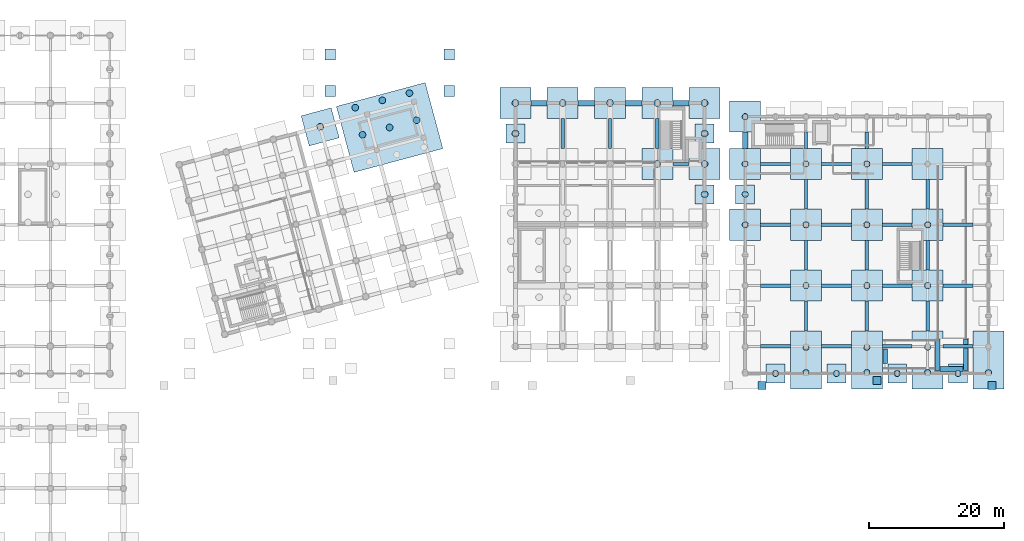
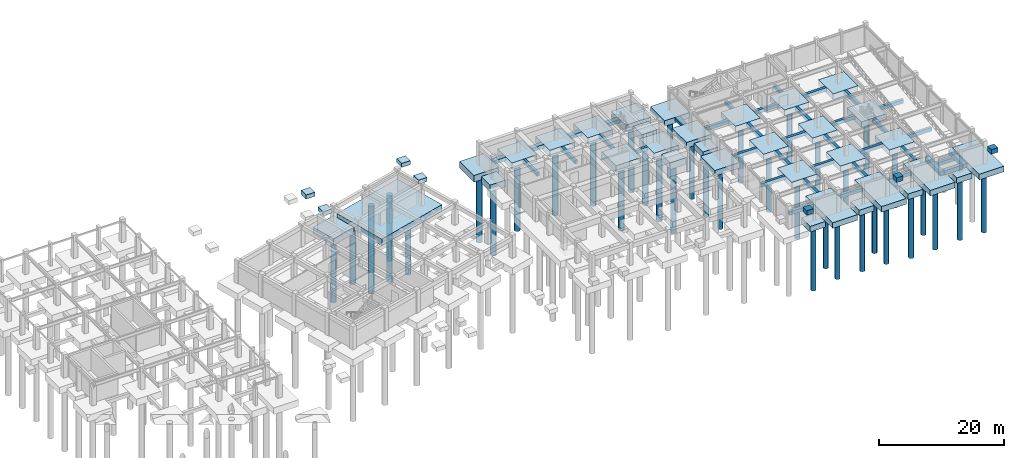
# One storey, part 5 of 20: 79 footings, 40 piles.
"""IFC4 building model written with IfcOpenShell, lengths in metres."""

from ifc_helpers import new_model, si_unit, direction, frame, origin, origin_2d, place, context, subcontext, project, spatial, rectangle, circle, extrude, material, material_profile, profile_set, type_object, element, save


model = new_model("IFC4")

# Units and contexts
model_context = context("Model", 3, precision=1e-05, world=origin(), true_north=direction((0.0, 1.0)))
body_context = subcontext(model_context, "Body", "Model", "MODEL_VIEW")
ifc_project = project(units=[si_unit("LENGTHUNIT", "METRE"), si_unit("AREAUNIT", "SQUARE_METRE"), si_unit("VOLUMEUNIT", "CUBIC_METRE"), si_unit("PLANEANGLEUNIT", "RADIAN"), si_unit("MASSUNIT", "GRAM", prefix="KILO")], contexts=[model_context])

# Site, building, storey
site_placement = place(None, origin())
site = spatial("IfcSite", under=ifc_project, at=site_placement, CompositionType="ELEMENT")
building_placement = place(site_placement, origin())
building = spatial("IfcBuilding", under=site, at=building_placement, Name="Ventoquebrada Cableway Terminal", CompositionType="ELEMENT")
storey_placement = place(building_placement, frame((0.0, 0.0, -4.5)))
storey = spatial("IfcBuildingStorey", under=building, at=storey_placement, Name="B1", CompositionType="ELEMENT", Elevation=-4.5)

# Footings
ifc_material = material(Name="Concrete C40/50", Category="concrete")
footing_type_1 = type_object("IfcFootingType", Name="FT-CN01", PredefinedType="PAD_FOOTING", material=ifc_material)
for number, where, z_axis, x_axis, name in (
    (1, (67.60009765625, 105.800048828125, -0.7998046875), (0.0, 0.0, 1.0), (1.0, 0.0, 0.0), "Canopy post pad footing FC-018"),
    (2, (85.199951171875, 105.800048828125, -0.7998046875), (0.0, 0.0, 1.0), (1.0, 0.0, 0.0), "Canopy post pad footing FC-019"),
    (3, (85.199951171875, 111.199951171875, -0.7998046875), (0.0, 0.0, 1.0), (1.0, 0.0, 0.0), "Canopy post pad footing FC-020"),
    (4, (67.60009765625, 111.199951171875, -0.7998046875), (0.0, 0.0, 1.0), (1.0, 0.0, 0.0), "Canopy post pad footing FC-021"),
):
    element("IfcFooting", number, at=place(storey_placement, frame(where, z_axis=z_axis, x_axis=x_axis)), inside=storey, type_object=footing_type_1, Name=name, PredefinedType="PAD_FOOTING", context=body_context, shape_type="SweptSolid", body=[
        extrude(rectangle(XDim=1.60009765625, YDim=1.60009765625, at=origin_2d()), origin(), (0.0, 0.0, 1.0), 0.800048828125),
    ])
for number, where, z_axis, x_axis, name in (
    (5, (157.449951171875, 66.75, 0.0), (0.0, 0.0, 1.0), (1.0, 0.0, 0.0), "Vehicle ramp landing wall footing RPAD-01"),
    (6, (161.64990234375, 66.75, 0.0), (0.0, 0.0, 1.0), (1.0, 0.0, 0.0), "Vehicle ramp landing wall footing RPAD-02"),
):
    element("IfcFooting", number, at=place(storey_placement, frame(where, z_axis=z_axis, x_axis=x_axis)), inside=storey, type_object=footing_type_1, Name=name, PredefinedType="PAD_FOOTING", context=body_context, shape_type="SweptSolid", body=[
        extrude(rectangle(XDim=0.699951171875, YDim=4.699951171875, at=origin_2d()), origin(), (0.0, 0.0, 1.0), 0.77001953125),
    ])
footing_1_placement = place(storey_placement, frame((159.550048828125, 64.64990234375, 0.0), z_axis=(0.0, 0.0, 1.0), x_axis=(1.0, 0.0, 0.0)))
element("IfcFooting", 7, at=footing_1_placement, inside=storey, type_object=footing_type_1, Name="Vehicle ramp landing wall footing RPAD-03", PredefinedType="PAD_FOOTING", context=body_context, shape_type="SweptSolid", body=[
    extrude(rectangle(XDim=3.39990234375, YDim=0.699951171875, at=origin_2d()), origin(), (0.0, 0.0, 1.0), 0.77001953125),
])
footing_2_placement = place(storey_placement, frame((149.699951171875, 66.574951171875, -0.77001953125), z_axis=(0.0, 0.0, 1.0), x_axis=(1.0, 0.0, 0.0)))
element("IfcFooting", 8, at=footing_2_placement, inside=storey, type_object=footing_type_1, Name="Vehicle ramp lower toe footing RPAD-04", PredefinedType="PAD_FOOTING", context=body_context, shape_type="SweptSolid", body=[
    extrude(rectangle(XDim=0.64990234375, YDim=2.14990234375, at=origin_2d()), origin(), (0.0, 0.0, 1.0), 0.77001953125),
])
footing_type_2 = type_object("IfcFootingType", Name="FT-PC01", PredefinedType="PILE_CAP", material=ifc_material)
for number, where, z_axis, x_axis, name in (
    (9, (138.0, 77.0, -1.10009765625), (0.0, 0.0, 1.0), (1.0, 0.0, 0.0), "Reinforced concrete pile cap PC-149"),
    (10, (129.0, 86.0, -1.10009765625), (0.0, 0.0, 1.0), (1.0, 0.0, 0.0), "Reinforced concrete pile cap PC-151"),
    (11, (129.0, 95.0, -1.10009765625), (0.0, 0.0, 1.0), (1.0, 0.0, 0.0), "Reinforced concrete pile cap PC-153"),
    (12, (129.0, 102.0, -1.10009765625), (0.0, 0.0, 1.0), (1.0, 0.0, 0.0), "Reinforced concrete pile cap PC-154"),
    (13, (147.0, 77.0, -1.10009765625), (0.0, 0.0, 1.0), (1.0, 0.0, 0.0), "Reinforced concrete pile cap PC-160"),
    (14, (138.0, 86.0, -1.10009765625), (0.0, 0.0, 1.0), (1.0, 0.0, 0.0), "Reinforced concrete pile cap PC-161"),
    (15, (147.0, 86.0, -1.10009765625), (0.0, 0.0, 1.0), (1.0, 0.0, 0.0), "Reinforced concrete pile cap PC-162"),
    (16, (156.0, 86.0, -1.10009765625), (0.0, 0.0, 1.0), (1.0, 0.0, 0.0), "Reinforced concrete pile cap PC-163"),
    (17, (138.0, 95.0, -1.10009765625), (0.0, 0.0, 1.0), (1.0, 0.0, 0.0), "Reinforced concrete pile cap PC-164"),
    (18, (147.0, 95.0, -1.10009765625), (0.0, 0.0, 1.0), (1.0, 0.0, 0.0), "Reinforced concrete pile cap PC-165"),
    (19, (156.0, 95.0, -1.10009765625), (0.0, 0.0, 1.0), (1.0, 0.0, 0.0), "Reinforced concrete pile cap PC-166"),
    (20, (156.0, 77.0, -1.10009765625), (0.0, 0.0, 1.0), (1.0, 0.0, 0.0), "Reinforced concrete pile cap PC-175"),
):
    element("IfcFooting", number, at=place(storey_placement, frame(where, z_axis=z_axis, x_axis=x_axis)), inside=storey, type_object=footing_type_2, Name=name, PredefinedType="PILE_CAP", context=body_context, shape_type="SweptSolid", body=[
        extrude(rectangle(XDim=4.60009765625, YDim=4.60009765625, at=origin_2d()), origin(), (0.0, 0.0, 1.0), 1.10009765625),
    ])
footing_type_3 = type_object("IfcFootingType", Name="FT-PC02", PredefinedType="PILE_CAP", material=ifc_material)
for number, where, z_axis, x_axis, name in (
    (21, (133.5, 64.0, -1.10009765625), (0.0, 0.0, 1.0), (1.0, 0.0, 0.0), "Reinforced concrete pile cap PC-145"),
    (22, (129.0, 90.5, -1.10009765625), (0.0, 0.0, 1.0), (1.0, 0.0, 0.0), "Reinforced concrete pile cap PC-152"),
    (23, (142.5, 64.0, -1.10009765625), (0.0, 0.0, 1.0), (1.0, 0.0, 0.0), "Reinforced concrete pile cap PC-157"),
    (24, (151.5, 64.0, -1.10009765625), (0.0, 0.0, 1.0), (1.0, 0.0, 0.0), "Reinforced concrete pile cap PC-159"),
    (25, (160.5, 64.0, -1.10009765625), (0.0, 0.0, 1.0), (1.0, 0.0, 0.0), "Reinforced concrete pile cap PC-172"),
):
    element("IfcFooting", number, at=place(storey_placement, frame(where, z_axis=z_axis, x_axis=x_axis)), inside=storey, type_object=footing_type_3, Name=name, PredefinedType="PILE_CAP", context=body_context, shape_type="SweptSolid", body=[
        extrude(rectangle(XDim=2.800048828125, YDim=2.800048828125, at=origin_2d()), origin(), (0.0, 0.0, 1.0), 1.10009765625),
    ])
footing_type_4 = type_object("IfcFootingType", Name="FT-PC05", PredefinedType="PILE_CAP", material=ifc_material)
for number, where, z_axis, x_axis, name in (
    (26, (95.0, 99.5, -1.2998046875), (0.0, 0.0, 1.0), (1.0, 0.0, 0.0), "Reinforced concrete pile cap PC-124"),
    (27, (123.0, 90.5, -1.2998046875), (0.0, 0.0, 1.0), (1.0, 0.0, 0.0), "Reinforced concrete pile cap PC-136"),
    (28, (123.0, 99.5, -1.2998046875), (0.0, 0.0, 1.0), (1.0, 0.0, 0.0), "Reinforced concrete pile cap PC-140"),
):
    element("IfcFooting", number, at=place(storey_placement, frame(where, z_axis=z_axis, x_axis=x_axis)), inside=storey, type_object=footing_type_4, Name=name, PredefinedType="PILE_CAP", context=body_context, shape_type="SweptSolid", body=[
        extrude(rectangle(XDim=2.800048828125, YDim=2.800048828125, at=origin_2d()), origin(), (0.0, 0.0, 1.0), 1.300048828125),
    ])
footing_type_5 = type_object("IfcFootingType", Name="FT-PC06", PredefinedType="PILE_CAP", material=ifc_material)
for number, where, z_axis, x_axis, name in (
    (29, (66.113037109375, 100.489013671875, -1.2998046875), (0.0, 0.0, 1.0), (0.965925826289, 0.258819045103, 0.0), "Reinforced concrete pile cap PC-114"),
    (30, (95.0, 104.0, -1.2998046875), (0.0, 0.0, 1.0), (1.0, 0.0, 0.0), "Reinforced concrete pile cap PC-125"),
    (31, (102.0, 104.0, -1.2998046875), (0.0, 0.0, 1.0), (1.0, 0.0, 0.0), "Reinforced concrete pile cap PC-126"),
    (32, (123.0, 95.0, -1.2998046875), (0.0, 0.0, 1.0), (1.0, 0.0, 0.0), "Reinforced concrete pile cap PC-138"),
    (33, (116.0, 95.0, -1.2998046875), (0.0, 0.0, 1.0), (1.0, 0.0, 0.0), "Reinforced concrete pile cap PC-139"),
    (34, (123.0, 104.0, -1.2998046875), (0.0, 0.0, 1.0), (1.0, 0.0, 0.0), "Reinforced concrete pile cap PC-141"),
    (35, (116.0, 104.0, -1.2998046875), (0.0, 0.0, 1.0), (1.0, 0.0, 0.0), "Reinforced concrete pile cap PC-142"),
    (36, (109.0, 104.0, -1.2998046875), (0.0, 0.0, 1.0), (1.0, 0.0, 0.0), "Reinforced concrete pile cap PC-143"),
):
    element("IfcFooting", number, at=place(storey_placement, frame(where, z_axis=z_axis, x_axis=x_axis)), inside=storey, type_object=footing_type_5, Name=name, PredefinedType="PILE_CAP", context=body_context, shape_type="SweptSolid", body=[
        extrude(rectangle(XDim=4.60009765625, YDim=4.60009765625, at=origin_2d()), origin(), (0.0, 0.0, 1.0), 1.300048828125),
    ])
footing_type_6 = type_object("IfcFootingType", Name="FT-PC08", PredefinedType="PILE_CAP", material=ifc_material)
footing_3_placement = place(storey_placement, frame((76.386962890625, 100.39501953125, -1.2998046875), z_axis=(0.0, 0.0, 1.0), x_axis=(0.965925826289, 0.258819045103, 0.0)))
element("IfcFooting", 37, at=footing_3_placement, inside=storey, type_object=footing_type_6, Name="Reinforced concrete pile cap PC-112", PredefinedType="PILE_CAP", context=body_context, shape_type="SweptSolid", body=[
    extrude(rectangle(XDim=13.60107421875, YDim=10.10107421875, at=origin_2d()), origin(), (0.0, 0.0, 1.0), 1.300048828125),
])
footing_type_7 = type_object("IfcFootingType", Name="FT-PC10", PredefinedType="PILE_CAP", material=ifc_material)
for number, where, z_axis, x_axis, name in (
    (38, (138.0, 66.0, -1.10009765625), (0.0, 0.0, 1.0), (1.0, 0.0, 0.0), "Reinforced concrete pile cap PC-146"),
    (39, (147.0, 66.0, -1.10009765625), (0.0, 0.0, 1.0), (1.0, 0.0, 0.0), "Reinforced concrete pile cap PC-158"),
    (40, (156.0, 66.0, -1.10009765625), (0.0, 0.0, 1.0), (1.0, 0.0, 0.0), "Reinforced concrete pile cap PC-171"),
    (41, (165.0, 66.0, -1.10009765625), (0.0, 0.0, 1.0), (1.0, 0.0, 0.0), "Reinforced concrete pile cap PC-173"),
):
    element("IfcFooting", number, at=place(storey_placement, frame(where, z_axis=z_axis, x_axis=x_axis)), inside=storey, type_object=footing_type_7, Name=name, PredefinedType="PILE_CAP", context=body_context, shape_type="SweptSolid", body=[
        extrude(rectangle(XDim=4.60009765625, YDim=8.60009765625, at=origin_2d()), origin(), (0.0, 0.0, 1.0), 1.10009765625),
    ])
footing_type_8 = type_object("IfcFootingType", Name="FT-PD01", PredefinedType="PAD_FOOTING", material=ifc_material)
for number, where, z_axis, x_axis, name in (
    (42, (131.5, 62.199951171875, 3.179931640625), (0.0, 0.0, 1.0), (1.0, 0.0, 0.0), "Plaza court grade pad footing PPD-10"),
    (43, (148.5, 62.949951171875, 3.179931640625), (0.0, 0.0, 1.0), (1.0, 0.0, 0.0), "Plaza court grade pad footing PPD-11"),
    (44, (165.5, 62.199951171875, 3.179931640625), (0.0, 0.0, 1.0), (1.0, 0.0, 0.0), "Plaza court grade pad footing PPD-12"),
):
    element("IfcFooting", number, at=place(storey_placement, frame(where, z_axis=z_axis, x_axis=x_axis)), inside=storey, type_object=footing_type_8, Name=name, PredefinedType="PAD_FOOTING", context=body_context, shape_type="SweptSolid", body=[
        extrude(rectangle(XDim=1.199951171875, YDim=1.199951171875, at=origin_2d()), origin(), (0.0, 0.0, 1.0), 0.89990234375),
    ])
footing_type_9 = type_object("IfcFootingType", Name="FT-SF09", PredefinedType="STRIP_FOOTING", material=ifc_material)
for number, where, z_axis, x_axis, name in (
    (45, (98.5, 104.0, -0.64990234375), (0.0, 0.0, 1.0), (1.0, 0.0, 0.0), "Reinforced concrete strip footing SF-088"),
    (46, (105.5, 104.0, -0.64990234375), (0.0, 0.0, 1.0), (1.0, 0.0, 0.0), "Reinforced concrete strip footing SF-089"),
    (47, (112.5, 104.0, -0.64990234375), (0.0, 0.0, 1.0), (1.0, 0.0, 0.0), "Reinforced concrete strip footing SF-090"),
    (48, (119.5, 104.0, -0.64990234375), (0.0, 0.0, 1.0), (1.0, 0.0, 0.0), "Reinforced concrete strip footing SF-091"),
    (49, (129.0, 98.5, -0.64990234375), (0.0, 0.0, 1.0), (0.0, 1.0, 0.0), "Reinforced concrete strip footing SF-092"),
):
    element("IfcFooting", number, at=place(storey_placement, frame(where, z_axis=z_axis, x_axis=x_axis)), inside=storey, type_object=footing_type_9, Name=name, PredefinedType="STRIP_FOOTING", context=body_context, shape_type="SweptSolid", body=[
        extrude(rectangle(XDim=2.404052734375, YDim=0.85009765625, at=origin_2d()), origin(), (0.0, 0.0, 1.0), 0.64990234375),
    ])
footing_type_10 = type_object("IfcFootingType", Name="FT-TB03", PredefinedType="FOOTING_BEAM", material=ifc_material)
for number, where, z_axis, x_axis, name in (
    (50, (102.0, 99.5, -0.7001953125), (0.0, 0.0, 1.0), (0.0, 1.0, 0.0), "Reinforced concrete seismic tie beam TB-065"),
    (51, (109.0, 99.5, -0.7001953125), (0.0, 0.0, 1.0), (0.0, 1.0, 0.0), "Reinforced concrete seismic tie beam TB-069"),
    (52, (116.0, 99.5, -0.7001953125), (0.0, 0.0, 1.0), (0.0, 1.0, 0.0), "Reinforced concrete seismic tie beam TB-073"),
    (53, (138.0, 72.5, -0.7001953125), (0.0, 0.0, 1.0), (0.0, 1.0, 0.0), "Reinforced concrete seismic tie beam TB-093"),
    (54, (138.0, 81.5, -0.7001953125), (0.0, 0.0, 1.0), (0.0, 1.0, 0.0), "Reinforced concrete seismic tie beam TB-094"),
    (55, (138.0, 90.5, -0.7001953125), (0.0, 0.0, 1.0), (0.0, 1.0, 0.0), "Reinforced concrete seismic tie beam TB-095"),
    (56, (147.0, 72.5, -0.7001953125), (0.0, 0.0, 1.0), (0.0, 1.0, 0.0), "Reinforced concrete seismic tie beam TB-097"),
    (57, (147.0, 81.5, -0.7001953125), (0.0, 0.0, 1.0), (0.0, 1.0, 0.0), "Reinforced concrete seismic tie beam TB-098"),
    (58, (147.0, 90.5, -0.7001953125), (0.0, 0.0, 1.0), (0.0, 1.0, 0.0), "Reinforced concrete seismic tie beam TB-099"),
    (59, (156.0, 72.5, -0.7001953125), (0.0, 0.0, 1.0), (0.0, 1.0, 0.0), "Reinforced concrete seismic tie beam TB-101"),
    (60, (156.0, 81.5, -0.7001953125), (0.0, 0.0, 1.0), (0.0, 1.0, 0.0), "Reinforced concrete seismic tie beam TB-102"),
    (61, (156.0, 90.5, -0.7001953125), (0.0, 0.0, 1.0), (0.0, 1.0, 0.0), "Reinforced concrete seismic tie beam TB-103"),
    (62, (133.5, 68.0, -0.7001953125), (0.0, 0.0, 1.0), (1.0, 0.0, 0.0), "Reinforced concrete seismic tie beam TB-106"),
    (63, (142.5, 68.0, -0.7001953125), (0.0, 0.0, 1.0), (1.0, 0.0, 0.0), "Reinforced concrete seismic tie beam TB-107"),
    (64, (151.5, 68.0, -0.7001953125), (0.0, 0.0, 1.0), (1.0, 0.0, 0.0), "Reinforced concrete seismic tie beam TB-108"),
    (65, (160.5, 68.0, -0.7001953125), (0.0, 0.0, 1.0), (1.0, 0.0, 0.0), "Reinforced concrete seismic tie beam TB-109"),
    (66, (133.5, 77.0, -0.7001953125), (0.0, 0.0, 1.0), (1.0, 0.0, 0.0), "Reinforced concrete seismic tie beam TB-110"),
    (67, (142.5, 77.0, -0.7001953125), (0.0, 0.0, 1.0), (1.0, 0.0, 0.0), "Reinforced concrete seismic tie beam TB-111"),
    (68, (151.5, 77.0, -0.7001953125), (0.0, 0.0, 1.0), (1.0, 0.0, 0.0), "Reinforced concrete seismic tie beam TB-112"),
    (69, (160.5, 77.0, -0.7001953125), (0.0, 0.0, 1.0), (1.0, 0.0, 0.0), "Reinforced concrete seismic tie beam TB-113"),
    (70, (133.5, 86.0, -0.7001953125), (0.0, 0.0, 1.0), (1.0, 0.0, 0.0), "Reinforced concrete seismic tie beam TB-114"),
    (71, (142.5, 86.0, -0.7001953125), (0.0, 0.0, 1.0), (1.0, 0.0, 0.0), "Reinforced concrete seismic tie beam TB-115"),
    (72, (151.5, 86.0, -0.7001953125), (0.0, 0.0, 1.0), (1.0, 0.0, 0.0), "Reinforced concrete seismic tie beam TB-116"),
    (73, (160.5, 86.0, -0.7001953125), (0.0, 0.0, 1.0), (1.0, 0.0, 0.0), "Reinforced concrete seismic tie beam TB-117"),
    (74, (133.5, 95.0, -0.7001953125), (0.0, 0.0, 1.0), (1.0, 0.0, 0.0), "Reinforced concrete seismic tie beam TB-118"),
    (75, (142.5, 95.0, -0.7001953125), (0.0, 0.0, 1.0), (1.0, 0.0, 0.0), "Reinforced concrete seismic tie beam TB-119"),
    (76, (151.5, 95.0, -0.7001953125), (0.0, 0.0, 1.0), (1.0, 0.0, 0.0), "Reinforced concrete seismic tie beam TB-120"),
):
    element("IfcFooting", number, at=place(storey_placement, frame(where, z_axis=z_axis, x_axis=x_axis)), inside=storey, type_object=footing_type_10, Name=name, PredefinedType="FOOTING_BEAM", context=body_context, shape_type="SweptSolid", body=[
        extrude(rectangle(XDim=4.404052734375, YDim=0.5, at=origin_2d()), origin(), (0.0, 0.0, 1.0), 0.699951171875),
    ])
footing_type_11 = type_object("IfcFootingType", Name="FT-TB10", PredefinedType="FOOTING_BEAM", material=ifc_material)
for number, where, z_axis, x_axis, name in (
    (77, (119.5, 95.0, -0.7001953125), (0.0, 0.0, 1.0), (1.0, 0.0, 0.0), "Reinforced concrete seismic tie beam TB-087"),
    (78, (138.0, 98.5, -0.7001953125), (0.0, 0.0, 1.0), (0.0, 1.0, 0.0), "Reinforced concrete seismic tie beam TB-096"),
    (79, (147.0, 98.5, -0.7001953125), (0.0, 0.0, 1.0), (0.0, 1.0, 0.0), "Reinforced concrete seismic tie beam TB-100"),
):
    element("IfcFooting", number, at=place(storey_placement, frame(where, z_axis=z_axis, x_axis=x_axis)), inside=storey, type_object=footing_type_11, Name=name, PredefinedType="FOOTING_BEAM", context=body_context, shape_type="SweptSolid", body=[
        extrude(rectangle(XDim=2.404052734375, YDim=0.5, at=origin_2d()), origin(), (0.0, 0.0, 1.0), 0.699951171875),
    ])

# Piles
ifc_material_profile_1 = material_profile(ifc_material, circle(Radius=0.5, at=origin_2d()), Name="PILE-D1000")
ifc_profile_set_1 = profile_set([ifc_material_profile_1], Name="Concrete C40/50")
pile_type_1 = type_object("IfcPileType", Name="PL-D1000", PredefinedType="BORED", material=ifc_profile_set_1)
pile_1_placement = place(storey_placement, frame((72.3779296875, 99.321044921875, -1.199951171875), z_axis=(0.0, 0.0, -1.0), x_axis=(1.0, 0.0, 0.0)))
element("IfcPile", 80, at=pile_1_placement, inside=storey, type_object=pile_type_1, Name="Cast-in-place bored pile FP-129", PredefinedType="BORED", context=body_context, shape_type="SweptSolid", body=[
    extrude(circle(Radius=0.5, at=origin_2d()), origin(), (0.0, 0.0, 1.0), 13.0),
])
pile_2_placement = place(storey_placement, frame((71.303955078125, 103.3291015625, -1.199951171875), z_axis=(0.0, 0.0, -1.0), x_axis=(1.0, 0.0, 0.0)))
element("IfcPile", 81, at=pile_2_placement, inside=storey, type_object=pile_type_1, Name="Cast-in-place bored pile FP-130", PredefinedType="BORED", context=body_context, shape_type="SweptSolid", body=[
    extrude(circle(Radius=0.5, at=origin_2d()), origin(), (0.0, 0.0, 1.0), 13.199951171875),
])
pile_3_placement = place(storey_placement, frame((76.386962890625, 100.39501953125, -1.199951171875), z_axis=(0.0, 0.0, -1.0), x_axis=(1.0, 0.0, 0.0)))
element("IfcPile", 82, at=pile_3_placement, inside=storey, type_object=pile_type_1, Name="Cast-in-place bored pile FP-132", PredefinedType="BORED", context=body_context, shape_type="SweptSolid", body=[
    extrude(circle(Radius=0.5, at=origin_2d()), origin(), (0.0, 0.0, 1.0), 12.800048828125),
])
pile_4_placement = place(storey_placement, frame((75.31298828125, 104.404052734375, -1.199951171875), z_axis=(0.0, 0.0, -1.0), x_axis=(1.0, 0.0, 0.0)))
element("IfcPile", 83, at=pile_4_placement, inside=storey, type_object=pile_type_1, Name="Cast-in-place bored pile FP-133", PredefinedType="BORED", context=body_context, shape_type="SweptSolid", body=[
    extrude(circle(Radius=0.5, at=origin_2d()), origin(), (0.0, 0.0, 1.0), 13.0),
])
pile_5_placement = place(storey_placement, frame((80.39599609375, 101.468994140625, -1.199951171875), z_axis=(0.0, 0.0, -1.0), x_axis=(1.0, 0.0, 0.0)))
element("IfcPile", 84, at=pile_5_placement, inside=storey, type_object=pile_type_1, Name="Cast-in-place bored pile FP-135", PredefinedType="BORED", context=body_context, shape_type="SweptSolid", body=[
    extrude(circle(Radius=0.5, at=origin_2d()), origin(), (0.0, 0.0, 1.0), 13.39990234375),
])
pile_6_placement = place(storey_placement, frame((79.321044921875, 105.47802734375, -1.199951171875), z_axis=(0.0, 0.0, -1.0), x_axis=(1.0, 0.0, 0.0)))
element("IfcPile", 85, at=pile_6_placement, inside=storey, type_object=pile_type_1, Name="Cast-in-place bored pile FP-136", PredefinedType="BORED", context=body_context, shape_type="SweptSolid", body=[
    extrude(circle(Radius=0.5, at=origin_2d()), origin(), (0.0, 0.0, 1.0), 12.800048828125),
])
pile_7_placement = place(storey_placement, frame((66.113037109375, 100.489013671875, -1.199951171875), z_axis=(0.0, 0.0, -1.0), x_axis=(1.0, 0.0, 0.0)))
element("IfcPile", 86, at=pile_7_placement, inside=storey, type_object=pile_type_1, Name="Cast-in-place bored pile FP-138", PredefinedType="BORED", context=body_context, shape_type="SweptSolid", body=[
    extrude(circle(Radius=0.5, at=origin_2d()), origin(), (0.0, 0.0, 1.0), 13.199951171875),
])
pile_8_placement = place(storey_placement, frame((95.0, 99.5, -1.199951171875), z_axis=(0.0, 0.0, -1.0), x_axis=(1.0, 0.0, 0.0)))
element("IfcPile", 87, at=pile_8_placement, inside=storey, type_object=pile_type_1, Name="Cast-in-place bored pile FP-157", PredefinedType="BORED", context=body_context, shape_type="SweptSolid", body=[
    extrude(circle(Radius=0.5, at=origin_2d()), origin(), (0.0, 0.0, 1.0), 13.60009765625),
])
pile_9_placement = place(storey_placement, frame((95.0, 104.0, -1.199951171875), z_axis=(0.0, 0.0, -1.0), x_axis=(1.0, 0.0, 0.0)))
element("IfcPile", 88, at=pile_9_placement, inside=storey, type_object=pile_type_1, Name="Cast-in-place bored pile FP-158", PredefinedType="BORED", context=body_context, shape_type="SweptSolid", body=[
    extrude(circle(Radius=0.5, at=origin_2d()), origin(), (0.0, 0.0, 1.0), 13.800048828125),
])
pile_10_placement = place(storey_placement, frame((102.0, 104.0, -1.199951171875), z_axis=(0.0, 0.0, -1.0), x_axis=(1.0, 0.0, 0.0)))
element("IfcPile", 89, at=pile_10_placement, inside=storey, type_object=pile_type_1, Name="Cast-in-place bored pile FP-159", PredefinedType="BORED", context=body_context, shape_type="SweptSolid", body=[
    extrude(circle(Radius=0.5, at=origin_2d()), origin(), (0.0, 0.0, 1.0), 14.0),
])
pile_11_placement = place(storey_placement, frame((123.0, 90.5, -1.199951171875), z_axis=(0.0, 0.0, -1.0), x_axis=(1.0, 0.0, 0.0)))
element("IfcPile", 90, at=pile_11_placement, inside=storey, type_object=pile_type_1, Name="Cast-in-place bored pile FP-169", PredefinedType="BORED", context=body_context, shape_type="SweptSolid", body=[
    extrude(circle(Radius=0.5, at=origin_2d()), origin(), (0.0, 0.0, 1.0), 13.60009765625),
])
pile_12_placement = place(storey_placement, frame((123.0, 95.0, -1.199951171875), z_axis=(0.0, 0.0, -1.0), x_axis=(1.0, 0.0, 0.0)))
element("IfcPile", 91, at=pile_12_placement, inside=storey, type_object=pile_type_1, Name="Cast-in-place bored pile FP-171", PredefinedType="BORED", context=body_context, shape_type="SweptSolid", body=[
    extrude(circle(Radius=0.5, at=origin_2d()), origin(), (0.0, 0.0, 1.0), 14.0),
])
pile_13_placement = place(storey_placement, frame((116.0, 95.0, -1.199951171875), z_axis=(0.0, 0.0, -1.0), x_axis=(1.0, 0.0, 0.0)))
element("IfcPile", 92, at=pile_13_placement, inside=storey, type_object=pile_type_1, Name="Cast-in-place bored pile FP-172", PredefinedType="BORED", context=body_context, shape_type="SweptSolid", body=[
    extrude(circle(Radius=0.5, at=origin_2d()), origin(), (0.0, 0.0, 1.0), 13.39990234375),
])
pile_14_placement = place(storey_placement, frame((123.0, 99.5, -1.199951171875), z_axis=(0.0, 0.0, -1.0), x_axis=(1.0, 0.0, 0.0)))
element("IfcPile", 93, at=pile_14_placement, inside=storey, type_object=pile_type_1, Name="Cast-in-place bored pile FP-173", PredefinedType="BORED", context=body_context, shape_type="SweptSolid", body=[
    extrude(circle(Radius=0.5, at=origin_2d()), origin(), (0.0, 0.0, 1.0), 13.60009765625),
])
pile_15_placement = place(storey_placement, frame((123.0, 104.0, -1.199951171875), z_axis=(0.0, 0.0, -1.0), x_axis=(1.0, 0.0, 0.0)))
element("IfcPile", 94, at=pile_15_placement, inside=storey, type_object=pile_type_1, Name="Cast-in-place bored pile FP-174", PredefinedType="BORED", context=body_context, shape_type="SweptSolid", body=[
    extrude(circle(Radius=0.5, at=origin_2d()), origin(), (0.0, 0.0, 1.0), 13.800048828125),
])
pile_16_placement = place(storey_placement, frame((116.0, 104.0, -1.199951171875), z_axis=(0.0, 0.0, -1.0), x_axis=(1.0, 0.0, 0.0)))
element("IfcPile", 95, at=pile_16_placement, inside=storey, type_object=pile_type_1, Name="Cast-in-place bored pile FP-175", PredefinedType="BORED", context=body_context, shape_type="SweptSolid", body=[
    extrude(circle(Radius=0.5, at=origin_2d()), origin(), (0.0, 0.0, 1.0), 14.0),
])
pile_17_placement = place(storey_placement, frame((109.0, 104.0, -1.199951171875), z_axis=(0.0, 0.0, -1.0), x_axis=(1.0, 0.0, 0.0)))
element("IfcPile", 96, at=pile_17_placement, inside=storey, type_object=pile_type_1, Name="Cast-in-place bored pile FP-176", PredefinedType="BORED", context=body_context, shape_type="SweptSolid", body=[
    extrude(circle(Radius=0.5, at=origin_2d()), origin(), (0.0, 0.0, 1.0), 13.39990234375),
])
ifc_material_profile_2 = material_profile(ifc_material, circle(Radius=0.449951171875, at=origin_2d()), Name="PILE-D900")
ifc_profile_set_2 = profile_set([ifc_material_profile_2], Name="Concrete C40/50")
pile_type_2 = type_object("IfcPileType", Name="PL-D900", PredefinedType="BORED", material=ifc_profile_set_2)
pile_18_placement = place(storey_placement, frame((133.5, 64.0, -1.0), z_axis=(0.0, 0.0, -1.0), x_axis=(1.0, 0.0, 0.0)))
element("IfcPile", 97, at=pile_18_placement, inside=storey, type_object=pile_type_2, Name="Cast-in-place bored pile FP-179", PredefinedType="BORED", context=body_context, shape_type="SweptSolid", body=[
    extrude(circle(Radius=0.449951171875, at=origin_2d()), origin(), (0.0, 0.0, 1.0), 12.60009765625),
])
pile_19_placement = place(storey_placement, frame((138.0, 64.132080078125, -1.0), z_axis=(0.0, 0.0, -1.0), x_axis=(1.0, 0.0, 0.0)))
element("IfcPile", 98, at=pile_19_placement, inside=storey, type_object=pile_type_2, Name="Cast-in-place bored pile FP-180", PredefinedType="BORED", context=body_context, shape_type="SweptSolid", body=[
    extrude(circle(Radius=0.449951171875, at=origin_2d()), origin(), (0.0, 0.0, 1.0), 12.0),
])
pile_20_placement = place(storey_placement, frame((138.0, 67.867919921875, -1.0), z_axis=(0.0, 0.0, -1.0), x_axis=(1.0, 0.0, 0.0)))
element("IfcPile", 99, at=pile_20_placement, inside=storey, type_object=pile_type_2, Name="Cast-in-place bored pile FP-181", PredefinedType="BORED", context=body_context, shape_type="SweptSolid", body=[
    extrude(circle(Radius=0.449951171875, at=origin_2d()), origin(), (0.0, 0.0, 1.0), 12.199951171875),
])
pile_21_placement = place(storey_placement, frame((138.0, 77.0, -1.0), z_axis=(0.0, 0.0, -1.0), x_axis=(1.0, 0.0, 0.0)))
element("IfcPile", 100, at=pile_21_placement, inside=storey, type_object=pile_type_2, Name="Cast-in-place bored pile FP-184", PredefinedType="BORED", context=body_context, shape_type="SweptSolid", body=[
    extrude(circle(Radius=0.449951171875, at=origin_2d()), origin(), (0.0, 0.0, 1.0), 12.0),
])
pile_22_placement = place(storey_placement, frame((129.0, 86.0, -1.0), z_axis=(0.0, 0.0, -1.0), x_axis=(1.0, 0.0, 0.0)))
element("IfcPile", 101, at=pile_22_placement, inside=storey, type_object=pile_type_2, Name="Cast-in-place bored pile FP-186", PredefinedType="BORED", context=body_context, shape_type="SweptSolid", body=[
    extrude(circle(Radius=0.449951171875, at=origin_2d()), origin(), (0.0, 0.0, 1.0), 12.39990234375),
])
pile_23_placement = place(storey_placement, frame((129.0, 90.5, -1.0), z_axis=(0.0, 0.0, -1.0), x_axis=(1.0, 0.0, 0.0)))
element("IfcPile", 102, at=pile_23_placement, inside=storey, type_object=pile_type_2, Name="Cast-in-place bored pile FP-187", PredefinedType="BORED", context=body_context, shape_type="SweptSolid", body=[
    extrude(circle(Radius=0.449951171875, at=origin_2d()), origin(), (0.0, 0.0, 1.0), 12.60009765625),
])
pile_24_placement = place(storey_placement, frame((129.0, 95.0, -1.0), z_axis=(0.0, 0.0, -1.0), x_axis=(1.0, 0.0, 0.0)))
element("IfcPile", 103, at=pile_24_placement, inside=storey, type_object=pile_type_2, Name="Cast-in-place bored pile FP-188", PredefinedType="BORED", context=body_context, shape_type="SweptSolid", body=[
    extrude(circle(Radius=0.449951171875, at=origin_2d()), origin(), (0.0, 0.0, 1.0), 12.0),
])
pile_25_placement = place(storey_placement, frame((129.0, 102.0, -1.0), z_axis=(0.0, 0.0, -1.0), x_axis=(1.0, 0.0, 0.0)))
element("IfcPile", 104, at=pile_25_placement, inside=storey, type_object=pile_type_2, Name="Cast-in-place bored pile FP-189", PredefinedType="BORED", context=body_context, shape_type="SweptSolid", body=[
    extrude(circle(Radius=0.449951171875, at=origin_2d()), origin(), (0.0, 0.0, 1.0), 12.199951171875),
])
pile_26_placement = place(storey_placement, frame((142.5, 64.0, -1.0), z_axis=(0.0, 0.0, -1.0), x_axis=(1.0, 0.0, 0.0)))
element("IfcPile", 105, at=pile_26_placement, inside=storey, type_object=pile_type_2, Name="Cast-in-place bored pile FP-192", PredefinedType="BORED", context=body_context, shape_type="SweptSolid", body=[
    extrude(circle(Radius=0.449951171875, at=origin_2d()), origin(), (0.0, 0.0, 1.0), 12.0),
])
pile_27_placement = place(storey_placement, frame((147.0, 64.132080078125, -1.0), z_axis=(0.0, 0.0, -1.0), x_axis=(1.0, 0.0, 0.0)))
element("IfcPile", 106, at=pile_27_placement, inside=storey, type_object=pile_type_2, Name="Cast-in-place bored pile FP-193", PredefinedType="BORED", context=body_context, shape_type="SweptSolid", body=[
    extrude(circle(Radius=0.449951171875, at=origin_2d()), origin(), (0.0, 0.0, 1.0), 12.199951171875),
])
pile_28_placement = place(storey_placement, frame((147.0, 67.867919921875, -1.0), z_axis=(0.0, 0.0, -1.0), x_axis=(1.0, 0.0, 0.0)))
element("IfcPile", 107, at=pile_28_placement, inside=storey, type_object=pile_type_2, Name="Cast-in-place bored pile FP-194", PredefinedType="BORED", context=body_context, shape_type="SweptSolid", body=[
    extrude(circle(Radius=0.449951171875, at=origin_2d()), origin(), (0.0, 0.0, 1.0), 12.39990234375),
])
pile_29_placement = place(storey_placement, frame((151.5, 64.0, -1.0), z_axis=(0.0, 0.0, -1.0), x_axis=(1.0, 0.0, 0.0)))
element("IfcPile", 108, at=pile_29_placement, inside=storey, type_object=pile_type_2, Name="Cast-in-place bored pile FP-195", PredefinedType="BORED", context=body_context, shape_type="SweptSolid", body=[
    extrude(circle(Radius=0.449951171875, at=origin_2d()), origin(), (0.0, 0.0, 1.0), 12.60009765625),
])
pile_30_placement = place(storey_placement, frame((147.0, 77.0, -1.0), z_axis=(0.0, 0.0, -1.0), x_axis=(1.0, 0.0, 0.0)))
element("IfcPile", 109, at=pile_30_placement, inside=storey, type_object=pile_type_2, Name="Cast-in-place bored pile FP-196", PredefinedType="BORED", context=body_context, shape_type="SweptSolid", body=[
    extrude(circle(Radius=0.449951171875, at=origin_2d()), origin(), (0.0, 0.0, 1.0), 12.0),
])
pile_31_placement = place(storey_placement, frame((138.0, 86.0, -1.0), z_axis=(0.0, 0.0, -1.0), x_axis=(1.0, 0.0, 0.0)))
element("IfcPile", 110, at=pile_31_placement, inside=storey, type_object=pile_type_2, Name="Cast-in-place bored pile FP-197", PredefinedType="BORED", context=body_context, shape_type="SweptSolid", body=[
    extrude(circle(Radius=0.449951171875, at=origin_2d()), origin(), (0.0, 0.0, 1.0), 12.199951171875),
])
pile_32_placement = place(storey_placement, frame((147.0, 86.0, -1.0), z_axis=(0.0, 0.0, -1.0), x_axis=(1.0, 0.0, 0.0)))
element("IfcPile", 111, at=pile_32_placement, inside=storey, type_object=pile_type_2, Name="Cast-in-place bored pile FP-198", PredefinedType="BORED", context=body_context, shape_type="SweptSolid", body=[
    extrude(circle(Radius=0.449951171875, at=origin_2d()), origin(), (0.0, 0.0, 1.0), 12.39990234375),
])
pile_33_placement = place(storey_placement, frame((156.0, 86.0, -1.0), z_axis=(0.0, 0.0, -1.0), x_axis=(1.0, 0.0, 0.0)))
element("IfcPile", 112, at=pile_33_placement, inside=storey, type_object=pile_type_2, Name="Cast-in-place bored pile FP-199", PredefinedType="BORED", context=body_context, shape_type="SweptSolid", body=[
    extrude(circle(Radius=0.449951171875, at=origin_2d()), origin(), (0.0, 0.0, 1.0), 12.60009765625),
])
pile_34_placement = place(storey_placement, frame((138.0, 95.0, -1.0), z_axis=(0.0, 0.0, -1.0), x_axis=(1.0, 0.0, 0.0)))
element("IfcPile", 113, at=pile_34_placement, inside=storey, type_object=pile_type_2, Name="Cast-in-place bored pile FP-200", PredefinedType="BORED", context=body_context, shape_type="SweptSolid", body=[
    extrude(circle(Radius=0.449951171875, at=origin_2d()), origin(), (0.0, 0.0, 1.0), 12.0),
])
pile_35_placement = place(storey_placement, frame((147.0, 95.0, -1.0), z_axis=(0.0, 0.0, -1.0), x_axis=(1.0, 0.0, 0.0)))
element("IfcPile", 114, at=pile_35_placement, inside=storey, type_object=pile_type_2, Name="Cast-in-place bored pile FP-201", PredefinedType="BORED", context=body_context, shape_type="SweptSolid", body=[
    extrude(circle(Radius=0.449951171875, at=origin_2d()), origin(), (0.0, 0.0, 1.0), 12.199951171875),
])
pile_36_placement = place(storey_placement, frame((156.0, 64.132080078125, -1.0), z_axis=(0.0, 0.0, -1.0), x_axis=(1.0, 0.0, 0.0)))
element("IfcPile", 115, at=pile_36_placement, inside=storey, type_object=pile_type_2, Name="Cast-in-place bored pile FP-207", PredefinedType="BORED", context=body_context, shape_type="SweptSolid", body=[
    extrude(circle(Radius=0.449951171875, at=origin_2d()), origin(), (0.0, 0.0, 1.0), 12.60009765625),
])
pile_37_placement = place(storey_placement, frame((156.0, 67.867919921875, -1.0), z_axis=(0.0, 0.0, -1.0), x_axis=(1.0, 0.0, 0.0)))
element("IfcPile", 116, at=pile_37_placement, inside=storey, type_object=pile_type_2, Name="Cast-in-place bored pile FP-208", PredefinedType="BORED", context=body_context, shape_type="SweptSolid", body=[
    extrude(circle(Radius=0.449951171875, at=origin_2d()), origin(), (0.0, 0.0, 1.0), 12.0),
])
pile_38_placement = place(storey_placement, frame((160.5, 64.0, -1.0), z_axis=(0.0, 0.0, -1.0), x_axis=(1.0, 0.0, 0.0)))
element("IfcPile", 117, at=pile_38_placement, inside=storey, type_object=pile_type_2, Name="Cast-in-place bored pile FP-209", PredefinedType="BORED", context=body_context, shape_type="SweptSolid", body=[
    extrude(circle(Radius=0.449951171875, at=origin_2d()), origin(), (0.0, 0.0, 1.0), 12.199951171875),
])
pile_39_placement = place(storey_placement, frame((165.0, 64.132080078125, -1.0), z_axis=(0.0, 0.0, -1.0), x_axis=(1.0, 0.0, 0.0)))
element("IfcPile", 118, at=pile_39_placement, inside=storey, type_object=pile_type_2, Name="Cast-in-place bored pile FP-210", PredefinedType="BORED", context=body_context, shape_type="SweptSolid", body=[
    extrude(circle(Radius=0.449951171875, at=origin_2d()), origin(), (0.0, 0.0, 1.0), 12.39990234375),
])
pile_40_placement = place(storey_placement, frame((156.0, 77.0, -1.0), z_axis=(0.0, 0.0, -1.0), x_axis=(1.0, 0.0, 0.0)))
element("IfcPile", 119, at=pile_40_placement, inside=storey, type_object=pile_type_2, Name="Cast-in-place bored pile FP-213", PredefinedType="BORED", context=body_context, shape_type="SweptSolid", body=[
    extrude(circle(Radius=0.449951171875, at=origin_2d()), origin(), (0.0, 0.0, 1.0), 12.199951171875),
])

save(model, "model.ifc")
